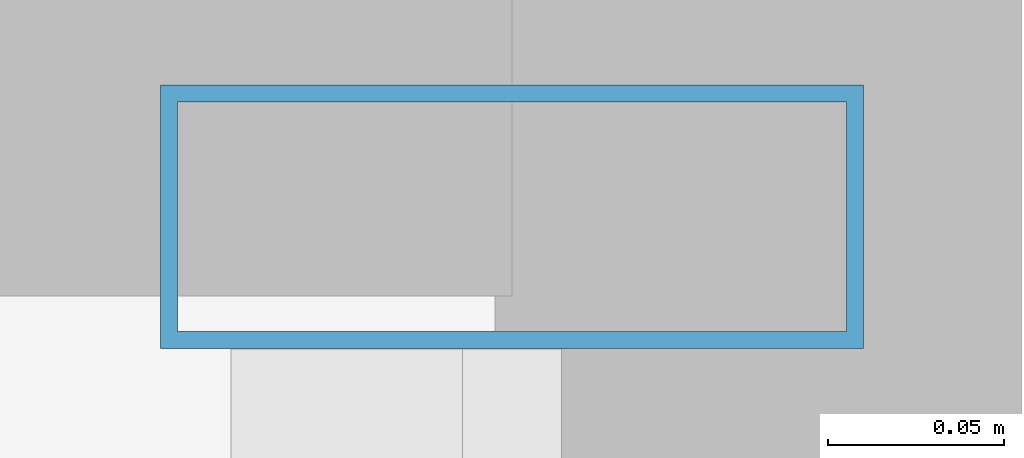
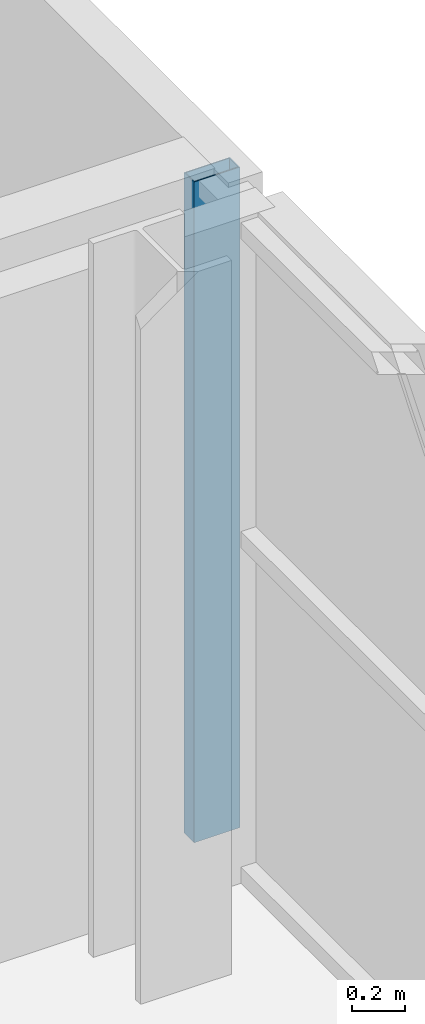
# One storey, part 13 of 21: 1 member, 1 element without a shape of its own.
"""IFC4 building model written with IfcOpenShell, lengths in metres."""

from ifc_helpers import new_model, si_unit, direction, frame, origin, origin_2d, place, context, subcontext, project, spatial, hollow_rectangle, extrude, source, transform, mapped, material, layer, layer_set, material_profile, profile_set, type_object, element, aggregate, save


model = new_model("IFC4")

# Units and contexts
model_context = context("Model", 3, precision=1e-05, world=origin(), true_north=direction((0.0, 1.0)))
body_context = subcontext(model_context, "Body", "Model", "MODEL_VIEW")
ifc_project = project(units=[si_unit("LENGTHUNIT", "METRE"), si_unit("AREAUNIT", "SQUARE_METRE"), si_unit("VOLUMEUNIT", "CUBIC_METRE"), si_unit("PLANEANGLEUNIT", "RADIAN"), si_unit("MASSUNIT", "GRAM", prefix="KILO")], contexts=[model_context])

# Site, building, storey
site_placement = place(None, origin())
site = spatial("IfcSite", under=ifc_project, at=site_placement, CompositionType="ELEMENT")
building_placement = place(site_placement, origin())
building = spatial("IfcBuilding", under=site, at=building_placement, Name="Zarnakvel Exchange Tower", CompositionType="ELEMENT")
storey_placement = place(building_placement, frame((0.0, 0.0, 189.10009765625)))
storey = spatial("IfcBuildingStorey", under=building, at=storey_placement, Name="L53", CompositionType="ELEMENT", Elevation=189.10009765625)

# Curtain wall, member
ifc_material = material(Name="Architectural Bronze Anodised Aluminium", Category="aluminium")
ifc_layer = layer(ifc_material, 0.199951171875)
ifc_layer_set = layer_set([ifc_layer], Name="Architectural Bronze Anodised Aluminium")
curtain_wall_type = type_object("IfcCurtainWallType", Name="CW-04", PredefinedType="NOTDEFINED", material=ifc_layer_set)
curtain_wall_placement = place(storey_placement, origin())
curtain_wall = element("IfcCurtainWall", 1, at=curtain_wall_placement, inside=storey, type_object=curtain_wall_type, Name="L53 Curtain Wall CW-L53-EN (CW-04)", PredefinedType="NOTDEFINED")
ifc_material_profile = material_profile(ifc_material, hollow_rectangle(XDim=0.199951171875, YDim=0.074951171875, WallThickness=0.0048828125, at=origin_2d()))
ifc_profile_set = profile_set([ifc_material_profile], Name="Architectural Bronze Anodised Aluminium")
member_type = type_object("IfcMemberType", Name="CWM-04", PredefinedType="MULLION", material=ifc_profile_set)
shared_shape = source(origin(), body_context, "Body", "SweptSolid", [
    extrude(hollow_rectangle(XDim=0.199951171875, YDim=0.074951171875, WallThickness=0.0048828125, at=origin_2d()), origin(), (0.0, 0.0, 1.0), 3.054931640625),
])
member_placement = place(storey_placement, frame((26.4599609375, 14.16259765625, 0.0), z_axis=(0.0, 0.0, 1.0), x_axis=(-1.0, 0.0, 0.0)))
member = element("IfcMember", 2, at=member_placement, type_object=member_type, Name="CW-04 mullion 3", PredefinedType="MULLION", context=body_context, shape_type="MappedRepresentation", body=[
    mapped(shared_shape, transform((0.0, 0.0, 0.0), x_axis=(1.0, 0.0, 0.0), y_axis=(0.0, 1.0, 0.0), z_axis=(0.0, 0.0, 1.0), scale=1.0)),
])
aggregate(curtain_wall, [member])

save(model, "model.ifc")
